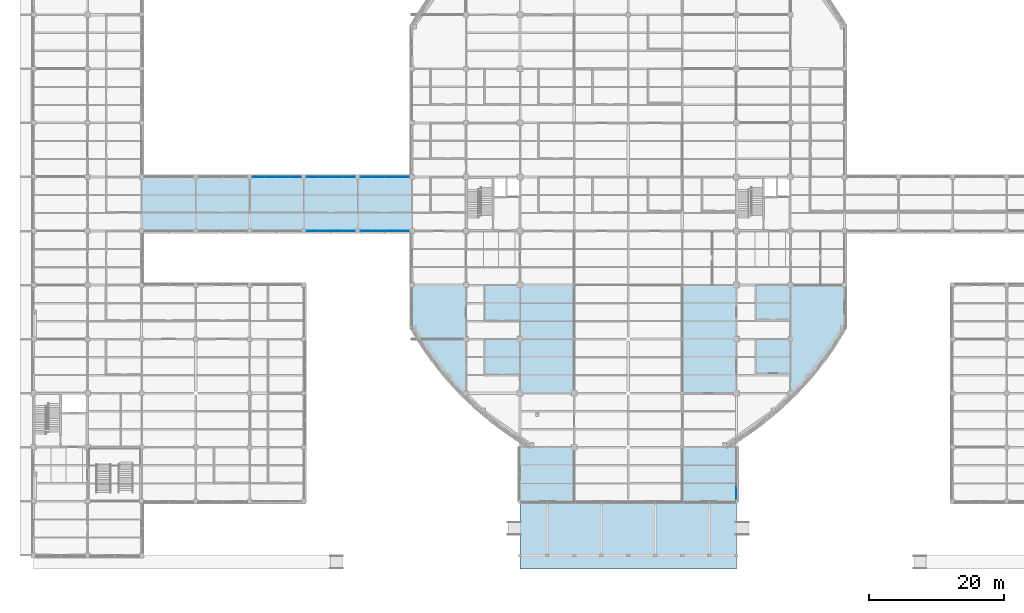
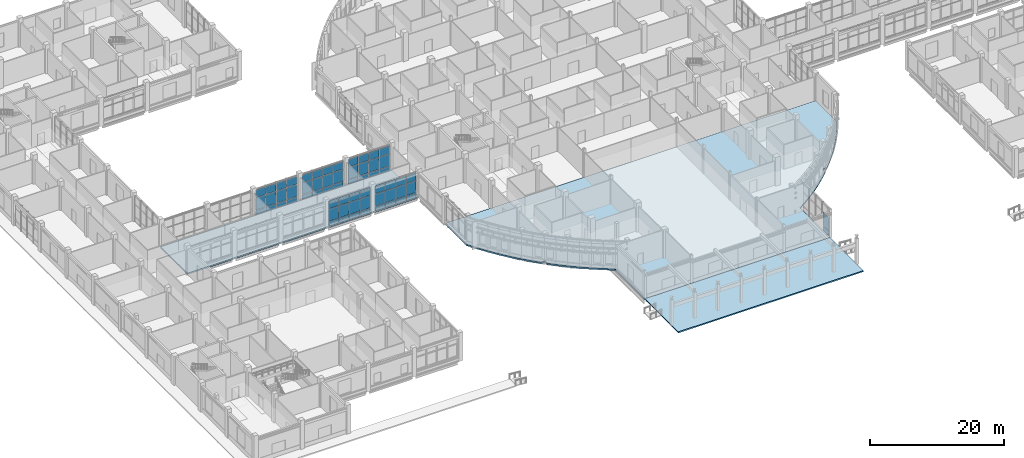
# One storey, part 50 of 105: 62 plates, 3 slabs, 6 elements without a shape of their own.
"""IFC4 building model written with IfcOpenShell, lengths in metres."""

from ifc_helpers import new_model, si_unit, derived_unit, direction, frame, origin, origin_2d, place, context, subcontext, project, spatial, polyline, rectangle, outline, extrude, material, layer, layer_set, type_object, element, aggregate, save


model = new_model("IFC4")

# Units and contexts
model_context = context("Model", 3, precision=1e-05, world=origin(), true_north=direction((0.0, 1.0)))
body_context = subcontext(model_context, "Body", "Model", "MODEL_VIEW")
ifc_project = project(units=[si_unit("LENGTHUNIT", "METRE"), si_unit("AREAUNIT", "SQUARE_METRE"), si_unit("VOLUMEUNIT", "CUBIC_METRE"), si_unit("PLANEANGLEUNIT", "RADIAN"), si_unit("MASSUNIT", "GRAM", prefix="KILO"), derived_unit("THERMALTRANSMITTANCEUNIT", [(si_unit("MASSUNIT", "GRAM", prefix="KILO"), 1), (si_unit("TIMEUNIT", "SECOND"), -3), (si_unit("THERMODYNAMICTEMPERATUREUNIT", "KELVIN"), -1)])], contexts=[model_context])

# Site, building, storey
site_placement = place(None, origin())
site = spatial("IfcSite", under=ifc_project, at=site_placement, CompositionType="ELEMENT")
building_placement = place(site_placement, origin())
building = spatial("IfcBuilding", under=site, at=building_placement, Name="Veyamyaing Civic Hall", CompositionType="ELEMENT")
storey_placement = place(building_placement, origin())
storey = spatial("IfcBuildingStorey", under=building, at=storey_placement, Name="L00", CompositionType="ELEMENT", Elevation=0.0)

# Curtain wall, plates
ifc_material_1 = material(Name="Anodised aluminium 6063-T6", Category="aluminium")
ifc_layer_1 = layer(ifc_material_1, 0.159912109375, Name="Anodised aluminium 6063-T6")
ifc_layer_set_1 = layer_set([ifc_layer_1], Name="Anodised aluminium 6063-T6")
curtain_wall_type_1 = type_object("IfcCurtainWallType", Name="CW-01", PredefinedType="NOTDEFINED", material=ifc_layer_set_1)
curtain_wall_1_placement = place(storey_placement, origin())
curtain_wall_1 = element("IfcCurtainWall", 1, at=curtain_wall_1_placement, inside=storey, type_object=curtain_wall_type_1, Name="Unitized curtain wall CW-01 L00 S 6.7", PredefinedType="NOTDEFINED")
ifc_material_2 = material(Name="Low-E insulated glass", Category="glass")
ifc_layer_2 = layer(ifc_material_2, 0.028076171875, Name="Low-E insulated glass")
ifc_layer_set_2 = layer_set([ifc_layer_2], Name="Low-E insulated glass")
plate_type_1 = type_object("IfcPlateType", Name="CWP-01", PredefinedType="CURTAIN_PANEL", material=ifc_layer_set_2)
plate_1_placement = place(storey_placement, frame((41.30126953125, 48.0, 0.06494140625), z_axis=(0.0, 0.0, 1.0), x_axis=(1.0, 0.0, 0.0)))
plate_1 = element("IfcPlate", 2, at=plate_1_placement, type_object=plate_type_1, Name="CW-01 panel 1.1", PredefinedType="CURTAIN_PANEL", context=body_context, shape_type="SweptSolid", body=[
    extrude(rectangle(XDim=1.71240234375, YDim=0.028076171875, at=origin_2d()), origin(), (0.0, 0.0, 1.0), 0.802490234375),
])
plate_2_placement = place(storey_placement, frame((41.30126953125, 48.0, 0.9326171875), z_axis=(0.0, 0.0, 1.0), x_axis=(1.0, 0.0, 0.0)))
plate_2 = element("IfcPlate", 3, at=plate_2_placement, type_object=plate_type_1, Name="CW-01 panel 1.2", PredefinedType="CURTAIN_PANEL", context=body_context, shape_type="SweptSolid", body=[
    extrude(rectangle(XDim=1.71240234375, YDim=0.028076171875, at=origin_2d()), origin(), (0.0, 0.0, 1.0), 2.21533203125),
])
plate_3_placement = place(storey_placement, frame((41.30126953125, 48.0, 3.212890625), z_axis=(0.0, 0.0, 1.0), x_axis=(1.0, 0.0, 0.0)))
plate_3 = element("IfcPlate", 4, at=plate_3_placement, type_object=plate_type_1, Name="CW-01 panel 1.3", PredefinedType="CURTAIN_PANEL", context=body_context, shape_type="SweptSolid", body=[
    extrude(rectangle(XDim=1.71240234375, YDim=0.028076171875, at=origin_2d()), origin(), (0.0, 0.0, 1.0), 1.399169921875),
])
plate_4_placement = place(storey_placement, frame((43.094970703125, 48.0, 0.06494140625), z_axis=(0.0, 0.0, 1.0), x_axis=(1.0, 0.0, 0.0)))
plate_4 = element("IfcPlate", 5, at=plate_4_placement, type_object=plate_type_1, Name="CW-01 panel 2.1", PredefinedType="CURTAIN_PANEL", context=body_context, shape_type="SweptSolid", body=[
    extrude(rectangle(XDim=1.7451171875, YDim=0.028076171875, at=origin_2d()), origin(), (0.0, 0.0, 1.0), 0.802490234375),
])
plate_5_placement = place(storey_placement, frame((43.094970703125, 48.0, 0.9326171875), z_axis=(0.0, 0.0, 1.0), x_axis=(1.0, 0.0, 0.0)))
plate_5 = element("IfcPlate", 6, at=plate_5_placement, type_object=plate_type_1, Name="CW-01 panel 2.2", PredefinedType="CURTAIN_PANEL", context=body_context, shape_type="SweptSolid", body=[
    extrude(rectangle(XDim=1.7451171875, YDim=0.028076171875, at=origin_2d()), origin(), (0.0, 0.0, 1.0), 2.21533203125),
])
plate_6_placement = place(storey_placement, frame((43.094970703125, 48.0, 3.212890625), z_axis=(0.0, 0.0, 1.0), x_axis=(1.0, 0.0, 0.0)))
plate_6 = element("IfcPlate", 7, at=plate_6_placement, type_object=plate_type_1, Name="CW-01 panel 2.3", PredefinedType="CURTAIN_PANEL", context=body_context, shape_type="SweptSolid", body=[
    extrude(rectangle(XDim=1.7451171875, YDim=0.028076171875, at=origin_2d()), origin(), (0.0, 0.0, 1.0), 1.399169921875),
])
plate_7_placement = place(storey_placement, frame((44.905029296875, 48.0, 0.06494140625), z_axis=(0.0, 0.0, 1.0), x_axis=(1.0, 0.0, 0.0)))
plate_7 = element("IfcPlate", 8, at=plate_7_placement, type_object=plate_type_1, Name="CW-01 panel 3.1", PredefinedType="CURTAIN_PANEL", context=body_context, shape_type="SweptSolid", body=[
    extrude(rectangle(XDim=1.7451171875, YDim=0.028076171875, at=origin_2d()), origin(), (0.0, 0.0, 1.0), 0.802490234375),
])
plate_8_placement = place(storey_placement, frame((44.905029296875, 48.0, 0.9326171875), z_axis=(0.0, 0.0, 1.0), x_axis=(1.0, 0.0, 0.0)))
plate_8 = element("IfcPlate", 9, at=plate_8_placement, type_object=plate_type_1, Name="CW-01 panel 3.2", PredefinedType="CURTAIN_PANEL", context=body_context, shape_type="SweptSolid", body=[
    extrude(rectangle(XDim=1.7451171875, YDim=0.028076171875, at=origin_2d()), origin(), (0.0, 0.0, 1.0), 2.21533203125),
])
plate_9_placement = place(storey_placement, frame((44.905029296875, 48.0, 3.212890625), z_axis=(0.0, 0.0, 1.0), x_axis=(1.0, 0.0, 0.0)))
plate_9 = element("IfcPlate", 10, at=plate_9_placement, type_object=plate_type_1, Name="CW-01 panel 3.3", PredefinedType="CURTAIN_PANEL", context=body_context, shape_type="SweptSolid", body=[
    extrude(rectangle(XDim=1.7451171875, YDim=0.028076171875, at=origin_2d()), origin(), (0.0, 0.0, 1.0), 1.399169921875),
])
plate_10_placement = place(storey_placement, frame((46.69873046875, 48.0, 0.06494140625), z_axis=(0.0, 0.0, 1.0), x_axis=(1.0, 0.0, 0.0)))
plate_10 = element("IfcPlate", 11, at=plate_10_placement, type_object=plate_type_1, Name="CW-01 panel 4.1", PredefinedType="CURTAIN_PANEL", context=body_context, shape_type="SweptSolid", body=[
    extrude(rectangle(XDim=1.71240234375, YDim=0.028076171875, at=origin_2d()), origin(), (0.0, 0.0, 1.0), 0.802490234375),
])
plate_11_placement = place(storey_placement, frame((46.69873046875, 48.0, 0.9326171875), z_axis=(0.0, 0.0, 1.0), x_axis=(1.0, 0.0, 0.0)))
plate_11 = element("IfcPlate", 12, at=plate_11_placement, type_object=plate_type_1, Name="CW-01 panel 4.2", PredefinedType="CURTAIN_PANEL", context=body_context, shape_type="SweptSolid", body=[
    extrude(rectangle(XDim=1.71240234375, YDim=0.028076171875, at=origin_2d()), origin(), (0.0, 0.0, 1.0), 2.21533203125),
])
plate_12_placement = place(storey_placement, frame((46.69873046875, 48.0, 3.212890625), z_axis=(0.0, 0.0, 1.0), x_axis=(1.0, 0.0, 0.0)))
plate_12 = element("IfcPlate", 13, at=plate_12_placement, type_object=plate_type_1, Name="CW-01 panel 4.3", PredefinedType="CURTAIN_PANEL", context=body_context, shape_type="SweptSolid", body=[
    extrude(rectangle(XDim=1.71240234375, YDim=0.028076171875, at=origin_2d()), origin(), (0.0, 0.0, 1.0), 1.399169921875),
])
aggregate(curtain_wall_1, [plate_1, plate_2, plate_3, plate_4, plate_5, plate_6, plate_7, plate_8, plate_9, plate_10, plate_11, plate_12])

curtain_wall_2_placement = place(storey_placement, origin())
curtain_wall_2 = element("IfcCurtainWall", 14, at=curtain_wall_2_placement, inside=storey, type_object=curtain_wall_type_1, Name="Unitized curtain wall CW-01 L00 N 6.7", PredefinedType="NOTDEFINED")
plate_13_placement = place(storey_placement, frame((41.30126953125, 56.0, 0.06494140625), z_axis=(0.0, 0.0, 1.0), x_axis=(1.0, 0.0, 0.0)))
plate_13 = element("IfcPlate", 15, at=plate_13_placement, type_object=plate_type_1, Name="CW-01 panel 1.1", PredefinedType="CURTAIN_PANEL", context=body_context, shape_type="SweptSolid", body=[
    extrude(rectangle(XDim=1.71240234375, YDim=0.028076171875, at=origin_2d()), origin(), (0.0, 0.0, 1.0), 0.802490234375),
])
plate_14_placement = place(storey_placement, frame((41.30126953125, 56.0, 0.932373046875), z_axis=(0.0, 0.0, 1.0), x_axis=(1.0, 0.0, 0.0)))
plate_14 = element("IfcPlate", 16, at=plate_14_placement, type_object=plate_type_1, Name="CW-01 panel 1.2", PredefinedType="CURTAIN_PANEL", context=body_context, shape_type="SweptSolid", body=[
    extrude(rectangle(XDim=1.71240234375, YDim=0.028076171875, at=origin_2d()), origin(), (0.0, 0.0, 1.0), 2.169921875),
])
plate_15_placement = place(storey_placement, frame((41.30126953125, 56.0, 3.16748046875), z_axis=(0.0, 0.0, 1.0), x_axis=(1.0, 0.0, 0.0)))
plate_15 = element("IfcPlate", 17, at=plate_15_placement, type_object=plate_type_1, Name="CW-01 panel 1.3", PredefinedType="CURTAIN_PANEL", context=body_context, shape_type="SweptSolid", body=[
    extrude(rectangle(XDim=1.71240234375, YDim=0.028076171875, at=origin_2d()), origin(), (0.0, 0.0, 1.0), 1.377685546875),
])
plate_16_placement = place(storey_placement, frame((43.094970703125, 56.0, 0.06494140625), z_axis=(0.0, 0.0, 1.0), x_axis=(1.0, 0.0, 0.0)))
plate_16 = element("IfcPlate", 18, at=plate_16_placement, type_object=plate_type_1, Name="CW-01 panel 2.1", PredefinedType="CURTAIN_PANEL", context=body_context, shape_type="SweptSolid", body=[
    extrude(rectangle(XDim=1.7451171875, YDim=0.028076171875, at=origin_2d()), origin(), (0.0, 0.0, 1.0), 0.802490234375),
])
plate_17_placement = place(storey_placement, frame((43.094970703125, 56.0, 0.932373046875), z_axis=(0.0, 0.0, 1.0), x_axis=(1.0, 0.0, 0.0)))
plate_17 = element("IfcPlate", 19, at=plate_17_placement, type_object=plate_type_1, Name="CW-01 panel 2.2", PredefinedType="CURTAIN_PANEL", context=body_context, shape_type="SweptSolid", body=[
    extrude(rectangle(XDim=1.7451171875, YDim=0.028076171875, at=origin_2d()), origin(), (0.0, 0.0, 1.0), 2.169921875),
])
plate_18_placement = place(storey_placement, frame((43.094970703125, 56.0, 3.16748046875), z_axis=(0.0, 0.0, 1.0), x_axis=(1.0, 0.0, 0.0)))
plate_18 = element("IfcPlate", 20, at=plate_18_placement, type_object=plate_type_1, Name="CW-01 panel 2.3", PredefinedType="CURTAIN_PANEL", context=body_context, shape_type="SweptSolid", body=[
    extrude(rectangle(XDim=1.7451171875, YDim=0.028076171875, at=origin_2d()), origin(), (0.0, 0.0, 1.0), 1.377685546875),
])
plate_19_placement = place(storey_placement, frame((44.905029296875, 56.0, 0.06494140625), z_axis=(0.0, 0.0, 1.0), x_axis=(1.0, 0.0, 0.0)))
plate_19 = element("IfcPlate", 21, at=plate_19_placement, type_object=plate_type_1, Name="CW-01 panel 3.1", PredefinedType="CURTAIN_PANEL", context=body_context, shape_type="SweptSolid", body=[
    extrude(rectangle(XDim=1.7451171875, YDim=0.028076171875, at=origin_2d()), origin(), (0.0, 0.0, 1.0), 0.802490234375),
])
plate_20_placement = place(storey_placement, frame((44.905029296875, 56.0, 0.932373046875), z_axis=(0.0, 0.0, 1.0), x_axis=(1.0, 0.0, 0.0)))
plate_20 = element("IfcPlate", 22, at=plate_20_placement, type_object=plate_type_1, Name="CW-01 panel 3.2", PredefinedType="CURTAIN_PANEL", context=body_context, shape_type="SweptSolid", body=[
    extrude(rectangle(XDim=1.7451171875, YDim=0.028076171875, at=origin_2d()), origin(), (0.0, 0.0, 1.0), 2.169921875),
])
plate_21_placement = place(storey_placement, frame((44.905029296875, 56.0, 3.16748046875), z_axis=(0.0, 0.0, 1.0), x_axis=(1.0, 0.0, 0.0)))
plate_21 = element("IfcPlate", 23, at=plate_21_placement, type_object=plate_type_1, Name="CW-01 panel 3.3", PredefinedType="CURTAIN_PANEL", context=body_context, shape_type="SweptSolid", body=[
    extrude(rectangle(XDim=1.7451171875, YDim=0.028076171875, at=origin_2d()), origin(), (0.0, 0.0, 1.0), 1.377685546875),
])
plate_22_placement = place(storey_placement, frame((46.69873046875, 56.0, 0.06494140625), z_axis=(0.0, 0.0, 1.0), x_axis=(1.0, 0.0, 0.0)))
plate_22 = element("IfcPlate", 24, at=plate_22_placement, type_object=plate_type_1, Name="CW-01 panel 4.1", PredefinedType="CURTAIN_PANEL", context=body_context, shape_type="SweptSolid", body=[
    extrude(rectangle(XDim=1.71240234375, YDim=0.028076171875, at=origin_2d()), origin(), (0.0, 0.0, 1.0), 0.802490234375),
])
plate_23_placement = place(storey_placement, frame((46.69873046875, 56.0, 0.932373046875), z_axis=(0.0, 0.0, 1.0), x_axis=(1.0, 0.0, 0.0)))
plate_23 = element("IfcPlate", 25, at=plate_23_placement, type_object=plate_type_1, Name="CW-01 panel 4.2", PredefinedType="CURTAIN_PANEL", context=body_context, shape_type="SweptSolid", body=[
    extrude(rectangle(XDim=1.71240234375, YDim=0.028076171875, at=origin_2d()), origin(), (0.0, 0.0, 1.0), 2.169921875),
])
plate_24_placement = place(storey_placement, frame((46.69873046875, 56.0, 3.16748046875), z_axis=(0.0, 0.0, 1.0), x_axis=(1.0, 0.0, 0.0)))
plate_24 = element("IfcPlate", 26, at=plate_24_placement, type_object=plate_type_1, Name="CW-01 panel 4.3", PredefinedType="CURTAIN_PANEL", context=body_context, shape_type="SweptSolid", body=[
    extrude(rectangle(XDim=1.71240234375, YDim=0.028076171875, at=origin_2d()), origin(), (0.0, 0.0, 1.0), 1.377685546875),
])
aggregate(curtain_wall_2, [plate_13, plate_14, plate_15, plate_16, plate_17, plate_18, plate_19, plate_20, plate_21, plate_22, plate_23, plate_24])

curtain_wall_3_placement = place(storey_placement, origin())
curtain_wall_3 = element("IfcCurtainWall", 27, at=curtain_wall_3_placement, inside=storey, type_object=curtain_wall_type_1, Name="Unitized curtain wall CW-01 L00 S 7.7", PredefinedType="NOTDEFINED")
ifc_layer_3 = layer(ifc_material_2, 0.031982421875, Name="Low-E insulated glass")
ifc_layer_set_3 = layer_set([ifc_layer_3], Name="Low-E insulated glass")
plate_type_2 = type_object("IfcPlateType", Name="CWP-02", PredefinedType="CURTAIN_PANEL", material=ifc_layer_set_3)
plate_25_placement = place(storey_placement, frame((49.30126953125, 48.0, 0.06494140625), z_axis=(0.0, 0.0, 1.0), x_axis=(1.0, 0.0, 0.0)))
plate_25 = element("IfcPlate", 28, at=plate_25_placement, type_object=plate_type_2, Name="CW-01 panel 1.1", PredefinedType="CURTAIN_PANEL", context=body_context, shape_type="SweptSolid", body=[
    extrude(rectangle(XDim=1.71240234375, YDim=0.031982421875, at=origin_2d()), origin(), (0.0, 0.0, 1.0), 0.802490234375),
])
plate_26_placement = place(storey_placement, frame((49.30126953125, 48.0, 0.932373046875), z_axis=(0.0, 0.0, 1.0), x_axis=(1.0, 0.0, 0.0)))
plate_26 = element("IfcPlate", 29, at=plate_26_placement, type_object=plate_type_2, Name="CW-01 panel 1.2", PredefinedType="CURTAIN_PANEL", context=body_context, shape_type="SweptSolid", body=[
    extrude(rectangle(XDim=1.71240234375, YDim=0.031982421875, at=origin_2d()), origin(), (0.0, 0.0, 1.0), 2.169921875),
])
plate_27_placement = place(storey_placement, frame((49.30126953125, 48.0, 3.16748046875), z_axis=(0.0, 0.0, 1.0), x_axis=(1.0, 0.0, 0.0)))
plate_27 = element("IfcPlate", 30, at=plate_27_placement, type_object=plate_type_2, Name="CW-01 panel 1.3", PredefinedType="CURTAIN_PANEL", context=body_context, shape_type="SweptSolid", body=[
    extrude(rectangle(XDim=1.71240234375, YDim=0.031982421875, at=origin_2d()), origin(), (0.0, 0.0, 1.0), 1.377685546875),
])
plate_28_placement = place(storey_placement, frame((51.094970703125, 48.0, 0.06494140625), z_axis=(0.0, 0.0, 1.0), x_axis=(1.0, 0.0, 0.0)))
plate_28 = element("IfcPlate", 31, at=plate_28_placement, type_object=plate_type_2, Name="CW-01 panel 2.1", PredefinedType="CURTAIN_PANEL", context=body_context, shape_type="SweptSolid", body=[
    extrude(rectangle(XDim=1.7451171875, YDim=0.031982421875, at=origin_2d()), origin(), (0.0, 0.0, 1.0), 0.802490234375),
])
plate_29_placement = place(storey_placement, frame((51.094970703125, 48.0, 0.932373046875), z_axis=(0.0, 0.0, 1.0), x_axis=(1.0, 0.0, 0.0)))
plate_29 = element("IfcPlate", 32, at=plate_29_placement, type_object=plate_type_2, Name="CW-01 panel 2.2", PredefinedType="CURTAIN_PANEL", context=body_context, shape_type="SweptSolid", body=[
    extrude(rectangle(XDim=1.7451171875, YDim=0.031982421875, at=origin_2d()), origin(), (0.0, 0.0, 1.0), 2.169921875),
])
plate_30_placement = place(storey_placement, frame((51.094970703125, 48.0, 3.16748046875), z_axis=(0.0, 0.0, 1.0), x_axis=(1.0, 0.0, 0.0)))
plate_30 = element("IfcPlate", 33, at=plate_30_placement, type_object=plate_type_2, Name="CW-01 panel 2.3", PredefinedType="CURTAIN_PANEL", context=body_context, shape_type="SweptSolid", body=[
    extrude(rectangle(XDim=1.7451171875, YDim=0.031982421875, at=origin_2d()), origin(), (0.0, 0.0, 1.0), 1.377685546875),
])
plate_31_placement = place(storey_placement, frame((52.905029296875, 48.0, 0.06494140625), z_axis=(0.0, 0.0, 1.0), x_axis=(1.0, 0.0, 0.0)))
plate_31 = element("IfcPlate", 34, at=plate_31_placement, type_object=plate_type_2, Name="CW-01 panel 3.1", PredefinedType="CURTAIN_PANEL", context=body_context, shape_type="SweptSolid", body=[
    extrude(rectangle(XDim=1.7451171875, YDim=0.031982421875, at=origin_2d()), origin(), (0.0, 0.0, 1.0), 0.802490234375),
])
plate_32_placement = place(storey_placement, frame((52.905029296875, 48.0, 0.932373046875), z_axis=(0.0, 0.0, 1.0), x_axis=(1.0, 0.0, 0.0)))
plate_32 = element("IfcPlate", 35, at=plate_32_placement, type_object=plate_type_2, Name="CW-01 panel 3.2", PredefinedType="CURTAIN_PANEL", context=body_context, shape_type="SweptSolid", body=[
    extrude(rectangle(XDim=1.7451171875, YDim=0.031982421875, at=origin_2d()), origin(), (0.0, 0.0, 1.0), 2.169921875),
])
plate_33_placement = place(storey_placement, frame((52.905029296875, 48.0, 3.16748046875), z_axis=(0.0, 0.0, 1.0), x_axis=(1.0, 0.0, 0.0)))
plate_33 = element("IfcPlate", 36, at=plate_33_placement, type_object=plate_type_2, Name="CW-01 panel 3.3", PredefinedType="CURTAIN_PANEL", context=body_context, shape_type="SweptSolid", body=[
    extrude(rectangle(XDim=1.7451171875, YDim=0.031982421875, at=origin_2d()), origin(), (0.0, 0.0, 1.0), 1.377685546875),
])
plate_34_placement = place(storey_placement, frame((54.69873046875, 48.0, 0.06494140625), z_axis=(0.0, 0.0, 1.0), x_axis=(1.0, 0.0, 0.0)))
plate_34 = element("IfcPlate", 37, at=plate_34_placement, type_object=plate_type_2, Name="CW-01 panel 4.1", PredefinedType="CURTAIN_PANEL", context=body_context, shape_type="SweptSolid", body=[
    extrude(rectangle(XDim=1.71240234375, YDim=0.031982421875, at=origin_2d()), origin(), (0.0, 0.0, 1.0), 0.802490234375),
])
plate_35_placement = place(storey_placement, frame((54.69873046875, 48.0, 0.932373046875), z_axis=(0.0, 0.0, 1.0), x_axis=(1.0, 0.0, 0.0)))
plate_35 = element("IfcPlate", 38, at=plate_35_placement, type_object=plate_type_2, Name="CW-01 panel 4.2", PredefinedType="CURTAIN_PANEL", context=body_context, shape_type="SweptSolid", body=[
    extrude(rectangle(XDim=1.71240234375, YDim=0.031982421875, at=origin_2d()), origin(), (0.0, 0.0, 1.0), 2.169921875),
])
plate_36_placement = place(storey_placement, frame((54.69873046875, 48.0, 3.16748046875), z_axis=(0.0, 0.0, 1.0), x_axis=(1.0, 0.0, 0.0)))
plate_36 = element("IfcPlate", 39, at=plate_36_placement, type_object=plate_type_2, Name="CW-01 panel 4.3", PredefinedType="CURTAIN_PANEL", context=body_context, shape_type="SweptSolid", body=[
    extrude(rectangle(XDim=1.71240234375, YDim=0.031982421875, at=origin_2d()), origin(), (0.0, 0.0, 1.0), 1.377685546875),
])
aggregate(curtain_wall_3, [plate_25, plate_26, plate_27, plate_28, plate_29, plate_30, plate_31, plate_32, plate_33, plate_34, plate_35, plate_36])

curtain_wall_4_placement = place(storey_placement, origin())
curtain_wall_4 = element("IfcCurtainWall", 40, at=curtain_wall_4_placement, inside=storey, type_object=curtain_wall_type_1, Name="Unitized curtain wall CW-01 L00 N 7.7", PredefinedType="NOTDEFINED")
plate_37_placement = place(storey_placement, frame((49.30126953125, 56.0, 0.06494140625), z_axis=(0.0, 0.0, 1.0), x_axis=(1.0, 0.0, 0.0)))
plate_37 = element("IfcPlate", 41, at=plate_37_placement, type_object=plate_type_2, Name="CW-01 panel 1.1", PredefinedType="CURTAIN_PANEL", context=body_context, shape_type="SweptSolid", body=[
    extrude(rectangle(XDim=1.71240234375, YDim=0.031982421875, at=origin_2d()), origin(), (0.0, 0.0, 1.0), 0.802490234375),
])
plate_38_placement = place(storey_placement, frame((49.30126953125, 56.0, 0.932373046875), z_axis=(0.0, 0.0, 1.0), x_axis=(1.0, 0.0, 0.0)))
plate_38 = element("IfcPlate", 42, at=plate_38_placement, type_object=plate_type_2, Name="CW-01 panel 1.2", PredefinedType="CURTAIN_PANEL", context=body_context, shape_type="SweptSolid", body=[
    extrude(rectangle(XDim=1.71240234375, YDim=0.031982421875, at=origin_2d()), origin(), (0.0, 0.0, 1.0), 2.21337890625),
])
plate_39_placement = place(storey_placement, frame((49.30126953125, 56.0, 3.2109375), z_axis=(0.0, 0.0, 1.0), x_axis=(1.0, 0.0, 0.0)))
plate_39 = element("IfcPlate", 43, at=plate_39_placement, type_object=plate_type_2, Name="CW-01 panel 1.3", PredefinedType="CURTAIN_PANEL", context=body_context, shape_type="SweptSolid", body=[
    extrude(rectangle(XDim=1.71240234375, YDim=0.031982421875, at=origin_2d()), origin(), (0.0, 0.0, 1.0), 1.398193359375),
])
plate_40_placement = place(storey_placement, frame((51.094970703125, 56.0, 0.06494140625), z_axis=(0.0, 0.0, 1.0), x_axis=(1.0, 0.0, 0.0)))
plate_40 = element("IfcPlate", 44, at=plate_40_placement, type_object=plate_type_2, Name="CW-01 panel 2.1", PredefinedType="CURTAIN_PANEL", context=body_context, shape_type="SweptSolid", body=[
    extrude(rectangle(XDim=1.7451171875, YDim=0.031982421875, at=origin_2d()), origin(), (0.0, 0.0, 1.0), 0.802490234375),
])
plate_41_placement = place(storey_placement, frame((51.094970703125, 56.0, 0.932373046875), z_axis=(0.0, 0.0, 1.0), x_axis=(1.0, 0.0, 0.0)))
plate_41 = element("IfcPlate", 45, at=plate_41_placement, type_object=plate_type_2, Name="CW-01 panel 2.2", PredefinedType="CURTAIN_PANEL", context=body_context, shape_type="SweptSolid", body=[
    extrude(rectangle(XDim=1.7451171875, YDim=0.031982421875, at=origin_2d()), origin(), (0.0, 0.0, 1.0), 2.21337890625),
])
plate_42_placement = place(storey_placement, frame((51.094970703125, 56.0, 3.2109375), z_axis=(0.0, 0.0, 1.0), x_axis=(1.0, 0.0, 0.0)))
plate_42 = element("IfcPlate", 46, at=plate_42_placement, type_object=plate_type_2, Name="CW-01 panel 2.3", PredefinedType="CURTAIN_PANEL", context=body_context, shape_type="SweptSolid", body=[
    extrude(rectangle(XDim=1.7451171875, YDim=0.031982421875, at=origin_2d()), origin(), (0.0, 0.0, 1.0), 1.398193359375),
])
plate_43_placement = place(storey_placement, frame((52.905029296875, 56.0, 0.06494140625), z_axis=(0.0, 0.0, 1.0), x_axis=(1.0, 0.0, 0.0)))
plate_43 = element("IfcPlate", 47, at=plate_43_placement, type_object=plate_type_2, Name="CW-01 panel 3.1", PredefinedType="CURTAIN_PANEL", context=body_context, shape_type="SweptSolid", body=[
    extrude(rectangle(XDim=1.7451171875, YDim=0.031982421875, at=origin_2d()), origin(), (0.0, 0.0, 1.0), 0.802490234375),
])
plate_44_placement = place(storey_placement, frame((52.905029296875, 56.0, 0.932373046875), z_axis=(0.0, 0.0, 1.0), x_axis=(1.0, 0.0, 0.0)))
plate_44 = element("IfcPlate", 48, at=plate_44_placement, type_object=plate_type_2, Name="CW-01 panel 3.2", PredefinedType="CURTAIN_PANEL", context=body_context, shape_type="SweptSolid", body=[
    extrude(rectangle(XDim=1.7451171875, YDim=0.031982421875, at=origin_2d()), origin(), (0.0, 0.0, 1.0), 2.21337890625),
])
plate_45_placement = place(storey_placement, frame((52.905029296875, 56.0, 3.2109375), z_axis=(0.0, 0.0, 1.0), x_axis=(1.0, 0.0, 0.0)))
plate_45 = element("IfcPlate", 49, at=plate_45_placement, type_object=plate_type_2, Name="CW-01 panel 3.3", PredefinedType="CURTAIN_PANEL", context=body_context, shape_type="SweptSolid", body=[
    extrude(rectangle(XDim=1.7451171875, YDim=0.031982421875, at=origin_2d()), origin(), (0.0, 0.0, 1.0), 1.398193359375),
])
plate_46_placement = place(storey_placement, frame((54.69873046875, 56.0, 0.06494140625), z_axis=(0.0, 0.0, 1.0), x_axis=(1.0, 0.0, 0.0)))
plate_46 = element("IfcPlate", 50, at=plate_46_placement, type_object=plate_type_2, Name="CW-01 panel 4.1", PredefinedType="CURTAIN_PANEL", context=body_context, shape_type="SweptSolid", body=[
    extrude(rectangle(XDim=1.71240234375, YDim=0.031982421875, at=origin_2d()), origin(), (0.0, 0.0, 1.0), 0.802490234375),
])
plate_47_placement = place(storey_placement, frame((54.69873046875, 56.0, 0.932373046875), z_axis=(0.0, 0.0, 1.0), x_axis=(1.0, 0.0, 0.0)))
plate_47 = element("IfcPlate", 51, at=plate_47_placement, type_object=plate_type_2, Name="CW-01 panel 4.2", PredefinedType="CURTAIN_PANEL", context=body_context, shape_type="SweptSolid", body=[
    extrude(rectangle(XDim=1.71240234375, YDim=0.031982421875, at=origin_2d()), origin(), (0.0, 0.0, 1.0), 2.21337890625),
])
plate_48_placement = place(storey_placement, frame((54.69873046875, 56.0, 3.2109375), z_axis=(0.0, 0.0, 1.0), x_axis=(1.0, 0.0, 0.0)))
plate_48 = element("IfcPlate", 52, at=plate_48_placement, type_object=plate_type_2, Name="CW-01 panel 4.3", PredefinedType="CURTAIN_PANEL", context=body_context, shape_type="SweptSolid", body=[
    extrude(rectangle(XDim=1.71240234375, YDim=0.031982421875, at=origin_2d()), origin(), (0.0, 0.0, 1.0), 1.398193359375),
])
aggregate(curtain_wall_4, [plate_37, plate_38, plate_39, plate_40, plate_41, plate_42, plate_43, plate_44, plate_45, plate_46, plate_47, plate_48])

ifc_layer_4 = layer(ifc_material_1, 0.179931640625, Name="Anodised aluminium 6063-T6")
ifc_layer_set_4 = layer_set([ifc_layer_4], Name="Anodised aluminium 6063-T6")
curtain_wall_type_2 = type_object("IfcCurtainWallType", Name="CW-06", PredefinedType="NOTDEFINED", material=ifc_layer_set_4)
curtain_wall_5_placement = place(storey_placement, origin())
curtain_wall_5 = element("IfcCurtainWall", 53, at=curtain_wall_5_placement, inside=storey, type_object=curtain_wall_type_2, Name="Unitized curtain wall CW-06 L00 E 13.2", PredefinedType="NOTDEFINED")
ifc_layer_5 = layer(ifc_material_2, 0.035888671875, Name="Low-E insulated glass")
ifc_layer_set_5 = layer_set([ifc_layer_5], Name="Low-E insulated glass")
plate_type_3 = type_object("IfcPlateType", Name="CWP-03", PredefinedType="CURTAIN_PANEL", material=ifc_layer_set_5)
plate_49_placement = place(storey_placement, frame((104.0, 9.2119140625, 0.06494140625), z_axis=(0.0, 0.0, 1.0), x_axis=(0.0, 1.0, 0.0)))
plate_49 = element("IfcPlate", 54, at=plate_49_placement, type_object=plate_type_3, Name="CW-06 panel 1.1", PredefinedType="CURTAIN_PANEL", context=body_context, shape_type="SweptSolid", body=[
    extrude(rectangle(XDim=1.8466796875, YDim=0.035888671875, at=origin_2d()), origin(), (0.0, 0.0, 1.0), 0.802490234375),
])
plate_50_placement = place(storey_placement, frame((104.0, 9.2119140625, 0.9326171875), z_axis=(0.0, 0.0, 1.0), x_axis=(0.0, 1.0, 0.0)))
plate_50 = element("IfcPlate", 55, at=plate_50_placement, type_object=plate_type_3, Name="CW-06 panel 1.2", PredefinedType="CURTAIN_PANEL", context=body_context, shape_type="SweptSolid", body=[
    extrude(rectangle(XDim=1.8466796875, YDim=0.035888671875, at=origin_2d()), origin(), (0.0, 0.0, 1.0), 2.458740234375),
])
aggregate(curtain_wall_5, [plate_49, plate_50])

curtain_wall_6_placement = place(storey_placement, origin())
curtain_wall_6 = element("IfcCurtainWall", 56, at=curtain_wall_6_placement, inside=storey, type_object=curtain_wall_type_1, Name="Unitized curtain wall CW-01 L00 N 5.7", PredefinedType="NOTDEFINED")
ifc_layer_6 = layer(ifc_material_2, 0.02197265625, Name="Low-E insulated glass")
ifc_layer_set_6 = layer_set([ifc_layer_6], Name="Low-E insulated glass")
plate_type_4 = type_object("IfcPlateType", Name="CWP-06", PredefinedType="CURTAIN_PANEL", material=ifc_layer_set_6)
plate_51_placement = place(storey_placement, frame((33.30126953125, 56.0, 0.06494140625), z_axis=(0.0, 0.0, 1.0), x_axis=(1.0, 0.0, 0.0)))
plate_51 = element("IfcPlate", 57, at=plate_51_placement, type_object=plate_type_4, Name="CW-01 panel 1.1", PredefinedType="CURTAIN_PANEL", context=body_context, shape_type="SweptSolid", body=[
    extrude(rectangle(XDim=1.71240234375, YDim=0.02197265625, at=origin_2d()), origin(), (0.0, 0.0, 1.0), 0.802490234375),
])
plate_52_placement = place(storey_placement, frame((33.30126953125, 56.0, 0.9326171875), z_axis=(0.0, 0.0, 1.0), x_axis=(1.0, 0.0, 0.0)))
plate_52 = element("IfcPlate", 58, at=plate_52_placement, type_object=plate_type_4, Name="CW-01 panel 1.2", PredefinedType="CURTAIN_PANEL", context=body_context, shape_type="SweptSolid", body=[
    extrude(rectangle(XDim=1.71240234375, YDim=0.02197265625, at=origin_2d()), origin(), (0.0, 0.0, 1.0), 2.21533203125),
])
plate_53_placement = place(storey_placement, frame((33.30126953125, 56.0, 3.212890625), z_axis=(0.0, 0.0, 1.0), x_axis=(1.0, 0.0, 0.0)))
plate_53 = element("IfcPlate", 59, at=plate_53_placement, type_object=plate_type_4, Name="CW-01 panel 1.3", PredefinedType="CURTAIN_PANEL", context=body_context, shape_type="SweptSolid", body=[
    extrude(rectangle(XDim=1.71240234375, YDim=0.02197265625, at=origin_2d()), origin(), (0.0, 0.0, 1.0), 1.399169921875),
])
plate_54_placement = place(storey_placement, frame((35.094970703125, 56.0, 0.06494140625), z_axis=(0.0, 0.0, 1.0), x_axis=(1.0, 0.0, 0.0)))
plate_54 = element("IfcPlate", 60, at=plate_54_placement, type_object=plate_type_4, Name="CW-01 panel 2.1", PredefinedType="CURTAIN_PANEL", context=body_context, shape_type="SweptSolid", body=[
    extrude(rectangle(XDim=1.7451171875, YDim=0.02197265625, at=origin_2d()), origin(), (0.0, 0.0, 1.0), 0.802490234375),
])
plate_55_placement = place(storey_placement, frame((35.094970703125, 56.0, 0.9326171875), z_axis=(0.0, 0.0, 1.0), x_axis=(1.0, 0.0, 0.0)))
plate_55 = element("IfcPlate", 61, at=plate_55_placement, type_object=plate_type_4, Name="CW-01 panel 2.2", PredefinedType="CURTAIN_PANEL", context=body_context, shape_type="SweptSolid", body=[
    extrude(rectangle(XDim=1.7451171875, YDim=0.02197265625, at=origin_2d()), origin(), (0.0, 0.0, 1.0), 2.21533203125),
])
plate_56_placement = place(storey_placement, frame((35.094970703125, 56.0, 3.212890625), z_axis=(0.0, 0.0, 1.0), x_axis=(1.0, 0.0, 0.0)))
plate_56 = element("IfcPlate", 62, at=plate_56_placement, type_object=plate_type_4, Name="CW-01 panel 2.3", PredefinedType="CURTAIN_PANEL", context=body_context, shape_type="SweptSolid", body=[
    extrude(rectangle(XDim=1.7451171875, YDim=0.02197265625, at=origin_2d()), origin(), (0.0, 0.0, 1.0), 1.399169921875),
])
plate_57_placement = place(storey_placement, frame((36.905029296875, 56.0, 0.06494140625), z_axis=(0.0, 0.0, 1.0), x_axis=(1.0, 0.0, 0.0)))
plate_57 = element("IfcPlate", 63, at=plate_57_placement, type_object=plate_type_4, Name="CW-01 panel 3.1", PredefinedType="CURTAIN_PANEL", context=body_context, shape_type="SweptSolid", body=[
    extrude(rectangle(XDim=1.7451171875, YDim=0.02197265625, at=origin_2d()), origin(), (0.0, 0.0, 1.0), 0.802490234375),
])
plate_58_placement = place(storey_placement, frame((36.905029296875, 56.0, 0.9326171875), z_axis=(0.0, 0.0, 1.0), x_axis=(1.0, 0.0, 0.0)))
plate_58 = element("IfcPlate", 64, at=plate_58_placement, type_object=plate_type_4, Name="CW-01 panel 3.2", PredefinedType="CURTAIN_PANEL", context=body_context, shape_type="SweptSolid", body=[
    extrude(rectangle(XDim=1.7451171875, YDim=0.02197265625, at=origin_2d()), origin(), (0.0, 0.0, 1.0), 2.21533203125),
])
plate_59_placement = place(storey_placement, frame((36.905029296875, 56.0, 3.212890625), z_axis=(0.0, 0.0, 1.0), x_axis=(1.0, 0.0, 0.0)))
plate_59 = element("IfcPlate", 65, at=plate_59_placement, type_object=plate_type_4, Name="CW-01 panel 3.3", PredefinedType="CURTAIN_PANEL", context=body_context, shape_type="SweptSolid", body=[
    extrude(rectangle(XDim=1.7451171875, YDim=0.02197265625, at=origin_2d()), origin(), (0.0, 0.0, 1.0), 1.399169921875),
])
plate_60_placement = place(storey_placement, frame((38.69873046875, 56.0, 0.06494140625), z_axis=(0.0, 0.0, 1.0), x_axis=(1.0, 0.0, 0.0)))
plate_60 = element("IfcPlate", 66, at=plate_60_placement, type_object=plate_type_4, Name="CW-01 panel 4.1", PredefinedType="CURTAIN_PANEL", context=body_context, shape_type="SweptSolid", body=[
    extrude(rectangle(XDim=1.71240234375, YDim=0.02197265625, at=origin_2d()), origin(), (0.0, 0.0, 1.0), 0.802490234375),
])
plate_61_placement = place(storey_placement, frame((38.69873046875, 56.0, 0.9326171875), z_axis=(0.0, 0.0, 1.0), x_axis=(1.0, 0.0, 0.0)))
plate_61 = element("IfcPlate", 67, at=plate_61_placement, type_object=plate_type_4, Name="CW-01 panel 4.2", PredefinedType="CURTAIN_PANEL", context=body_context, shape_type="SweptSolid", body=[
    extrude(rectangle(XDim=1.71240234375, YDim=0.02197265625, at=origin_2d()), origin(), (0.0, 0.0, 1.0), 2.21533203125),
])
plate_62_placement = place(storey_placement, frame((38.69873046875, 56.0, 3.212890625), z_axis=(0.0, 0.0, 1.0), x_axis=(1.0, 0.0, 0.0)))
plate_62 = element("IfcPlate", 68, at=plate_62_placement, type_object=plate_type_4, Name="CW-01 panel 4.3", PredefinedType="CURTAIN_PANEL", context=body_context, shape_type="SweptSolid", body=[
    extrude(rectangle(XDim=1.71240234375, YDim=0.02197265625, at=origin_2d()), origin(), (0.0, 0.0, 1.0), 1.399169921875),
])
aggregate(curtain_wall_6, [plate_51, plate_52, plate_53, plate_54, plate_55, plate_56, plate_57, plate_58, plate_59, plate_60, plate_61, plate_62])

# Slabs
ifc_material_3 = material(Name="Concrete C40/50", Category="concrete")
ifc_layer_7 = layer(ifc_material_3, 0.264892578125, Name="Concrete C40/50")
ifc_layer_set_7 = layer_set([ifc_layer_7], Name="Concrete C40/50")
slab_type_1 = type_object("IfcSlabType", Name="SL-02", PredefinedType="FLOOR", material=ifc_layer_set_7)
slab_1_placement = place(storey_placement, frame((0.0, 0.0, -0.264892578125)))
element("IfcSlab", 69, at=slab_1_placement, inside=storey, type_object=slab_type_1, Name="Floor slab SL-02 L00 LNKW.1", PredefinedType="FLOOR", context=body_context, shape_type="SweptSolid", body=[
    extrude(outline(polyline([(16.0, 56.0), (56.0, 56.0), (56.0, 48.0), (16.0, 48.0), (16.0, 56.0)])), origin(), (0.0, 0.0, 1.0), 0.264892578125),
])
slab_2_placement = place(storey_placement, frame((0.0, 0.0, -0.264892578125)))
element("IfcSlab", 70, at=slab_2_placement, inside=storey, type_object=slab_type_1, Name="Floor slab SL-02 L00 V1S.1", PredefinedType="FLOOR", context=body_context, shape_type="SweptSolid", body=[
    extrude(outline(polyline([(72.0, 16.947265625), (70.52978515625, 17.909912109375), (69.06591796875, 18.948486328125), (67.6416015625, 20.041259765625), (66.259521484375, 21.1865234375), (64.9208984375, 22.3828125), (64.0, 23.269775390625), (64.0, 24.0), (63.269775390625, 24.0), (62.3828125, 24.9208984375), (61.1865234375, 26.259521484375), (60.041259765625, 27.6416015625), (58.948486328125, 29.06591796875), (57.909912109375, 30.52978515625), (56.926513671875, 32.03173828125), (56.0, 33.569091796875), (56.0, 40.0), (120.0, 40.0), (120.0, 33.569091796875), (119.073486328125, 32.03173828125), (118.090087890625, 30.52978515625), (117.051513671875, 29.06591796875), (115.958740234375, 27.6416015625), (114.8134765625, 26.259521484375), (113.6171875, 24.9208984375), (112.730224609375, 24.0), (112.0, 24.0), (112.0, 23.269775390625), (111.0791015625, 22.3828125), (109.740478515625, 21.1865234375), (108.3583984375, 20.041259765625), (106.93408203125, 18.948486328125), (105.47021484375, 17.909912109375), (104.0, 16.947265625), (104.0, 8.0), (72.0, 8.0), (72.0, 16.947265625)])), origin(), (0.0, 0.0, 1.0), 0.264892578125),
])
ifc_layer_8 = layer(ifc_material_3, 0.219970703125, Name="Concrete C40/50")
ifc_layer_set_8 = layer_set([ifc_layer_8], Name="Concrete C40/50")
slab_type_2 = type_object("IfcSlabType", Name="SL-09", PredefinedType="FLOOR", material=ifc_layer_set_8)
slab_3_placement = place(storey_placement, frame((0.0, 0.0, -0.219970703125)))
element("IfcSlab", 71, at=slab_3_placement, inside=storey, type_object=slab_type_2, Name="Colonnade deck slab SL-09 PORTAL", PredefinedType="FLOOR", context=body_context, shape_type="SweptSolid", body=[
    extrude(outline(polyline([(104.0, -2.0), (104.0, 8.0), (72.0, 8.0), (72.0, -2.0), (104.0, -2.0)])), origin(), (0.0, 0.0, 1.0), 0.219970703125),
])

save(model, "model.ifc")
